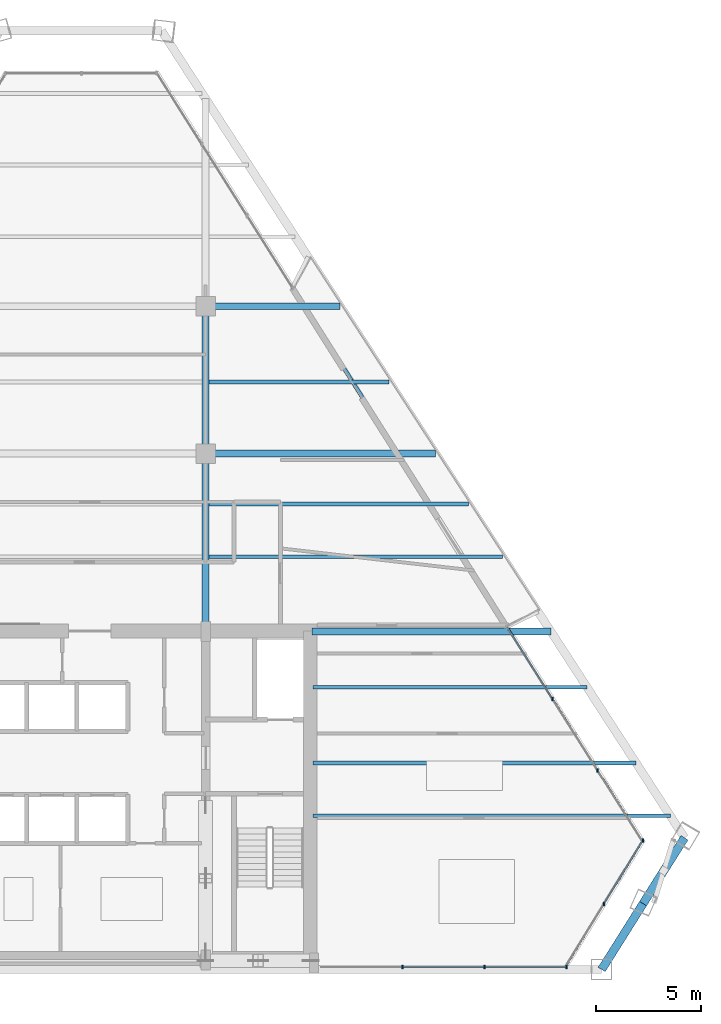
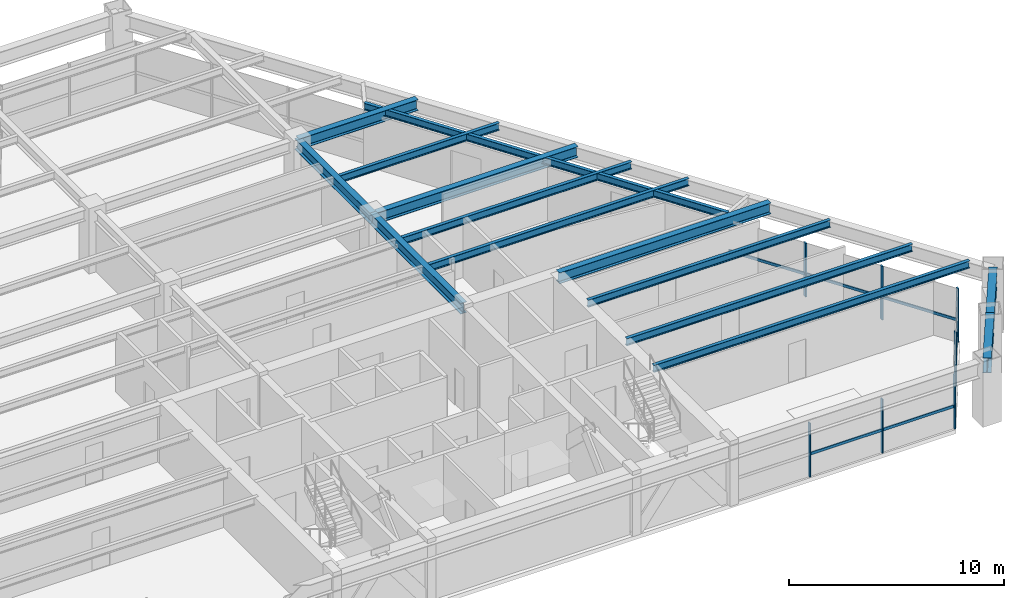
# One storey, part 6 of 15: 14 beams, 14 members, 3 elements without a shape of their own.
"""IFC4 building model written with IfcOpenShell, lengths in metres."""

import ifcopenshell
import ifcopenshell.guid

model = None  # the IFC model being written
_history = None  # IfcOwnerHistory: only IFC2X3 demands one
_inside = {}  # id of a spatial element -> (the spatial element, [elements in it])
_under = {}  # id of a project, library or spatial element -> (it, [spatial elements below it])
_declared = {}  # id of a project -> (the project, [libraries it declares])
_typed = {}  # id of a type object -> (the type object, [elements of that type])
_made_of = {}  # id of a material, layer set ... -> (it, [elements and type objects made of it])


def new_model(schema):
    """Start an empty IFC model of exactly this schema.

    Asked for "IFC4X3", IfcOpenShell would pick the latest addendum, in which some entities
    have other attributes; the version numbers below select the first issue.
    IFC2X3 requires an IfcOwnerHistory on every rooted entity: one is made here for all.
    """
    global model, _history
    if schema == "IFC4X3":
        model = ifcopenshell.file(schema_version=(4, 3, 0, 0))
    else:
        model = ifcopenshell.file(schema=schema)
    _inside.clear()
    _under.clear()
    _declared.clear()
    _typed.clear()
    _made_of.clear()
    _history = None
    if model.schema == "IFC2X3":
        org = make("IfcOrganization", Name="unknown")
        user = make(
            "IfcPersonAndOrganization",
            ThePerson=make("IfcPerson", FamilyName="unknown"),
            TheOrganization=org,
        )
        app = make(
            "IfcApplication",
            ApplicationDeveloper=org,
            Version="unknown",
            ApplicationFullName="unknown",
            ApplicationIdentifier="unknown",
        )
        _history = make(
            "IfcOwnerHistory",
            OwningUser=user,
            OwningApplication=app,
            ChangeAction="ADDED",
            CreationDate=0,
        )
    return model


def make(cls, **values):
    """One entity of the class cls with the attributes given. An attribute that is None is left unset."""
    return model.create_entity(
        cls, **{name: value for name, value in values.items() if value is not None}
    )


def rooted(cls, **values):
    """An entity with a GlobalId (a new one), such as an element, a storey or a relation."""
    return make(cls, GlobalId=ifcopenshell.guid.new(), OwnerHistory=_history, **values)


def si_unit(unit_type, name, prefix=None):
    """IfcSIUnit, for example si_unit("LENGTHUNIT", "METRE", prefix="MILLI")."""
    return make("IfcSIUnit", UnitType=unit_type, Prefix=prefix, Name=name)


def assignment(units):
    """IfcUnitAssignment: the units of a project."""
    return None if units is None else make("IfcUnitAssignment", Units=units)


def point(xyz):
    """IfcCartesianPoint."""
    return None if xyz is None else make("IfcCartesianPoint", Coordinates=xyz)


def direction(xyz):
    """IfcDirection."""
    return None if xyz is None else make("IfcDirection", DirectionRatios=xyz)


def frame(location, z_axis=None, x_axis=None):
    """IfcAxis2Placement3D, a coordinate frame: its origin and axes. An axis left out is left unset."""
    return make(
        "IfcAxis2Placement3D",
        Location=point(location),
        Axis=direction(z_axis),
        RefDirection=direction(x_axis),
    )


def frame_2d(location, x_axis=None):
    """IfcAxis2Placement2D, a coordinate frame in the plane: its origin and x axis."""
    return make(
        "IfcAxis2Placement2D", Location=point(location), RefDirection=direction(x_axis)
    )


def origin():
    """The frame at (0, 0, 0) with its axes left unset."""
    return frame((0.0, 0.0, 0.0))


def origin_2d():
    """The frame at (0, 0) in the plane with its x axis left unset."""
    return frame_2d((0.0, 0.0))


def place(relative_to, where):
    """IfcLocalPlacement: puts the frame where relative to a parent placement (None: the world)."""
    return make(
        "IfcLocalPlacement", PlacementRelTo=relative_to, RelativePlacement=where
    )


def context(
    kind, dimensions, precision=None, world=None, true_north=None, identifier=None
):
    """IfcGeometricRepresentationContext, for example the 3D "Model" context."""
    return make(
        "IfcGeometricRepresentationContext",
        ContextIdentifier=identifier,
        ContextType=kind,
        CoordinateSpaceDimension=dimensions,
        Precision=precision,
        WorldCoordinateSystem=world,
        TrueNorth=true_north,
    )


def subcontext(parent, identifier, kind, view, scale=None):
    """IfcGeometricRepresentationSubContext, for example "Body" below "Model"."""
    return make(
        "IfcGeometricRepresentationSubContext",
        ContextIdentifier=identifier,
        ContextType=kind,
        ParentContext=parent,
        TargetScale=scale,
        TargetView=view,
    )


def project(units=None, contexts=None):
    """IfcProject with its units and contexts."""
    return rooted(
        "IfcProject",
        Name="project",
        RepresentationContexts=contexts,
        UnitsInContext=assignment(units),
    )


def spatial(cls, under=None, at=None, **own):
    """A site, building, storey or space (cls), placed at a placement, below another one or the project."""
    s = rooted(cls, ObjectPlacement=at, **own)
    if under is not None:
        _under.setdefault(under.id(), (under, []))[1].append(s)
    return s


def profile(cls, at=None, kind="AREA", **sizes):
    """A parametric profile (cls). Its sizes go by their IFC names, for example OverallWidth=200.0."""
    return make(cls, ProfileType=kind, Position=at, **sizes)


def rectangle(**sizes):
    """IfcRectangleProfileDef."""
    return profile("IfcRectangleProfileDef", **sizes)


def i_section(**sizes):
    """IfcIShapeProfileDef."""
    return profile("IfcIShapeProfileDef", **sizes)


def extrude(swept, where, along, depth):
    """IfcExtrudedAreaSolid: the profile swept, set in the frame where, extruded along a direction by depth."""
    return make(
        "IfcExtrudedAreaSolid",
        SweptArea=swept,
        Position=where,
        ExtrudedDirection=direction(along),
        Depth=depth,
    )


def shape(context_of_items, identifier, shape_type, items):
    """IfcShapeRepresentation: the items that make up one representation, for example the "Body"."""
    return make(
        "IfcShapeRepresentation",
        ContextOfItems=context_of_items,
        RepresentationIdentifier=identifier,
        RepresentationType=shape_type,
        Items=items,
    )


def source(mapping_origin, context_of_items, identifier, shape_type, items):
    """IfcRepresentationMap: a shape defined once, which mapped items show again and again."""
    return make(
        "IfcRepresentationMap",
        MappingOrigin=mapping_origin,
        MappedRepresentation=shape(context_of_items, identifier, shape_type, items),
    )


def transform(
    local_origin,
    x_axis=None,
    y_axis=None,
    z_axis=None,
    scale=None,
    scale2=None,
    scale3=None,
    uniform=True,
):
    """IfcCartesianTransformationOperator3D, or its non-uniform kind. x_axis, y_axis, z_axis: its Axis1, 2, 3."""
    if uniform:
        return make(
            "IfcCartesianTransformationOperator3D",
            Axis1=direction(x_axis),
            Axis2=direction(y_axis),
            LocalOrigin=point(local_origin),
            Scale=scale,
            Axis3=direction(z_axis),
        )
    return make(
        "IfcCartesianTransformationOperator3DnonUniform",
        Axis1=direction(x_axis),
        Axis2=direction(y_axis),
        LocalOrigin=point(local_origin),
        Scale=scale,
        Axis3=direction(z_axis),
        Scale2=scale2,
        Scale3=scale3,
    )


def mapped(mapping_source, mapping_target):
    """IfcMappedItem: shows the shape of a source again, moved by a transform."""
    return make(
        "IfcMappedItem", MappingSource=mapping_source, MappingTarget=mapping_target
    )


def material(Name=None, Category=None):
    """IfcMaterial."""
    return make("IfcMaterial", Name=Name, Category=Category)


def material_profile(
    of_material, cross_section, Name=None, Category=None, Priority=None
):
    """IfcMaterialProfile: a cross section and its material."""
    return make(
        "IfcMaterialProfile",
        Name=Name,
        Material=of_material,
        Profile=cross_section,
        Priority=Priority,
        Category=Category,
    )


def profile_set(profiles, Name=None, composite=None):
    """IfcMaterialProfileSet."""
    return make(
        "IfcMaterialProfileSet",
        Name=Name,
        MaterialProfiles=profiles,
        CompositeProfile=composite,
    )


def made_of(thing, what):
    """Note that an element or type object is made of a material, layer set ...; save() writes the relation."""
    if what is not None:
        _made_of.setdefault(what.id(), (what, []))[1].append(thing)
    return thing


def type_object(cls, material=None, **own):
    """A type object (cls), such as IfcWallType, which elements share."""
    return made_of(rooted(cls, **own), material)


def type_shapes(of_type, sources):
    """Give a type object the sources (RepresentationMaps) that its elements show as mapped items."""
    of_type.RepresentationMaps = sources


def element(
    cls,
    number,
    at=None,
    inside=None,
    cuts=None,
    type_object=None,
    material=None,
    context=None,
    identifier="Body",
    shape_type=None,
    held_by="IfcProductDefinitionShape",
    body=None,
    shapes=None,
    **own,
):
    """One element of the class cls, such as IfcWall. Its Tag is "e" and its number.

    at: its placement. inside: the storey or other place that contains it. cuts: it is an
    opening in that element (IfcRelVoidsElement). A single representation is given by context,
    identifier, shape_type and body (its items); several are given by shapes. held_by: the class
    of the entity that holds the representations. save() writes the other relations.
    """
    e = rooted(cls, Tag="e%d" % number, ObjectPlacement=at, **own)
    if body is not None:
        shapes = [shape(context, identifier, shape_type, body)]
    if shapes is not None:
        e.Representation = make(held_by, Representations=shapes)
    if inside is not None:
        _inside.setdefault(inside.id(), (inside, []))[1].append(e)
    if cuts is not None:
        rooted(
            "IfcRelVoidsElement", RelatingBuildingElement=cuts, RelatedOpeningElement=e
        )
    if type_object is not None:
        _typed.setdefault(type_object.id(), (type_object, []))[1].append(e)
    return made_of(e, material)


def aggregate(whole, parts):
    """IfcRelAggregates: a whole, such as a stair, and the parts it consists of."""
    return rooted("IfcRelAggregates", RelatingObject=whole, RelatedObjects=parts)


def save(model, path):
    """Write the relations noted so far, then the file.

    IfcRelAggregates (storeys below a building ...), IfcRelContainedInSpatialStructure (elements
    in a storey), IfcRelDefinesByType, IfcRelAssociatesMaterial and IfcRelDeclares: one each for
    every whole, place, type object, material and project.
    """
    for whole, parts in _under.values():
        aggregate(whole, parts)
    for where, things in _inside.values():
        rooted(
            "IfcRelContainedInSpatialStructure",
            RelatedElements=things,
            RelatingStructure=where,
        )
    for kind, things in _typed.values():
        rooted("IfcRelDefinesByType", RelatedObjects=things, RelatingType=kind)
    for what, things in _made_of.values():
        rooted("IfcRelAssociatesMaterial", RelatedObjects=things, RelatingMaterial=what)
    for by, libraries in _declared.values():
        rooted("IfcRelDeclares", RelatingContext=by, RelatedDefinitions=libraries)
    model.write(path)


model = new_model("IFC4")

# Units and contexts
model_context = context("Model", 3, precision=1e-05, world=origin(), true_north=direction((0.0, 1.0)))
body_context = subcontext(model_context, "Body", "Model", "MODEL_VIEW")
ifc_project = project(units=[si_unit("LENGTHUNIT", "METRE"), si_unit("AREAUNIT", "SQUARE_METRE"), si_unit("VOLUMEUNIT", "CUBIC_METRE"), si_unit("PLANEANGLEUNIT", "RADIAN"), si_unit("MASSUNIT", "GRAM", prefix="KILO")], contexts=[model_context])

# Site, building, storey
site_placement = place(None, origin())
site = spatial("IfcSite", under=ifc_project, at=site_placement, CompositionType="ELEMENT")
building_placement = place(site_placement, origin())
building = spatial("IfcBuilding", under=site, at=building_placement, Name="Varnakhor Terracotta Tower", CompositionType="ELEMENT")
storey_placement = place(building_placement, frame((0.0, 0.0, 196.89990234375)))
storey = spatial("IfcBuildingStorey", under=building, at=storey_placement, Name="L50", CompositionType="ELEMENT", Elevation=196.89990234375)

# Beams
ifc_material_1 = material(Name="Steel S355", Category="steel")
ifc_material_profile_1 = material_profile(ifc_material_1, i_section(OverallWidth=0.324951171875, OverallDepth=0.615966796875, WebThickness=0.013916015625, FlangeThickness=0.02197265625, FilletRadius=0.01806640625, at=origin_2d()), Name="W24X117")
ifc_profile_set_1 = profile_set([ifc_material_profile_1], Name="Steel S355")
beam_type_1 = type_object("IfcBeamType", Name="BM-W24X117", PredefinedType="BEAM", material=ifc_profile_set_1)
shared_shape_1 = source(origin(), body_context, "Body", "SweptSolid", [
    extrude(i_section(OverallWidth=0.324951171875, OverallDepth=0.615966796875, WebThickness=0.013916015625, FlangeThickness=0.02197265625, FilletRadius=0.01806640625, at=origin_2d()), origin(), (0.0, 0.0, 1.0), 8.449951171875),
])
type_shapes(beam_type_1, [shared_shape_1])
beam_1_placement = place(storey_placement, frame((5.5, 16.050048828125, 3.162109375), z_axis=(0.0, 1.0, 0.0), x_axis=(-1.0, 0.0, 0.0)))
element("IfcBeam", 1, at=beam_1_placement, inside=storey, type_object=beam_type_1, Name="L50 Primary Girder NS1-E", PredefinedType="BEAM", context=body_context, shape_type="MappedRepresentation", body=[
    mapped(shared_shape_1, transform((0.0, 0.0, 0.0), scale=1.0)),
])
shared_shape_2 = source(origin(), body_context, "Body", "SweptSolid", [
    extrude(i_section(OverallWidth=0.324951171875, OverallDepth=0.615966796875, WebThickness=0.013916015625, FlangeThickness=0.02197265625, FilletRadius=0.01806640625, at=origin_2d()), origin(), (0.0, 0.0, 1.0), 7.0),
])
beam_2_placement = place(storey_placement, frame((5.5, 24.5, 3.162109375), z_axis=(0.0, 1.0, 0.0), x_axis=(-1.0, 0.0, 0.0)))
element("IfcBeam", 2, at=beam_2_placement, inside=storey, type_object=beam_type_1, Name="L50 Primary Girder NS2-E", PredefinedType="BEAM", context=body_context, shape_type="MappedRepresentation", body=[
    mapped(shared_shape_2, transform((0.0, 0.0, 0.0), scale=1.0)),
])
ifc_material_profile_2 = material_profile(ifc_material_1, i_section(OverallWidth=0.39990234375, OverallDepth=0.85498046875, WebThickness=0.01806640625, FlangeThickness=0.029052734375, FilletRadius=0.01806640625, at=origin_2d()), Name="W33X201")
ifc_profile_set_2 = profile_set([ifc_material_profile_2], Name="Steel S355")
beam_type_2 = type_object("IfcBeamType", Name="BM-W33X201", PredefinedType="BEAM", material=ifc_profile_set_2)
shared_shape_3 = source(origin(), body_context, "Body", "SweptSolid", [
    extrude(i_section(OverallWidth=0.39990234375, OverallDepth=0.85498046875, WebThickness=0.01806640625, FlangeThickness=0.029052734375, FilletRadius=0.01806640625, at=origin_2d()), origin(), (0.0, 0.0, 1.0), 3.695068359375),
])
beam_3_placement = place(storey_placement, frame((24.310791015625, 0.0, 3.04248046875), z_axis=(0.532348797409, 0.846525107659, 0.0), x_axis=(-0.846525107659, 0.532348797409, 0.0)))
element("IfcBeam", 3, at=beam_3_placement, inside=storey, type_object=beam_type_2, Name="L50 Perimeter Spandrel 2", PredefinedType="BEAM", context=body_context, shape_type="MappedRepresentation", body=[
    mapped(shared_shape_3, transform((0.0, 0.0, 0.0), scale=1.0)),
])
shared_shape_4 = source(origin(), body_context, "Body", "SweptSolid", [
    extrude(i_section(OverallWidth=0.39990234375, OverallDepth=0.85498046875, WebThickness=0.01806640625, FlangeThickness=0.029052734375, FilletRadius=0.01806640625, at=origin_2d()), origin(), (0.0, 0.0, 1.0), 3.6953125),
])
beam_4_placement = place(storey_placement, frame((26.27783203125, 3.1279296875, 3.04248046875), z_axis=(0.532366368301, 0.846514057711, 0.0), x_axis=(-0.846514057711, 0.532366368301, 0.0)))
element("IfcBeam", 4, at=beam_4_placement, inside=storey, type_object=beam_type_2, Name="L50 Perimeter Spandrel 3", PredefinedType="BEAM", context=body_context, shape_type="MappedRepresentation", body=[
    mapped(shared_shape_4, transform((0.0, 0.0, 0.0), scale=1.0)),
])
ifc_material_profile_3 = material_profile(ifc_material_1, i_section(OverallWidth=0.179931640625, OverallDepth=0.39990234375, WebThickness=0.008544921875, FlangeThickness=0.013427734375, FilletRadius=0.01806640625, at=origin_2d()), Name="IPE400")
ifc_profile_set_3 = profile_set([ifc_material_profile_3], Name="Steel S355")
beam_type_3 = type_object("IfcBeamType", Name="JST-IPE400", PredefinedType="JOIST", material=ifc_profile_set_3)
shared_shape_5 = source(origin(), body_context, "Body", "SweptSolid", [
    extrude(i_section(OverallWidth=0.179931640625, OverallDepth=0.39990234375, WebThickness=0.008544921875, FlangeThickness=0.013427734375, FilletRadius=0.01806640625, at=origin_2d()), origin(), (0.0, 0.0, 1.0), 19.0947265625),
])
beam_5_placement = place(storey_placement, frame((19.829833984375, 16.264892578125, 3.27001953125), z_axis=(-0.533881383678, 0.845559381807, 0.0), x_axis=(-0.845559381807, -0.533881383678, 0.0)))
element("IfcBeam", 5, at=beam_5_placement, inside=storey, type_object=beam_type_3, Name="L50 Loggia Edge Beam 1", PredefinedType="JOIST", context=body_context, shape_type="MappedRepresentation", body=[
    mapped(shared_shape_5, transform((0.0, 0.0, 0.0), scale=1.0)),
])
shared_shape_6 = source(origin(), body_context, "Body", "SweptSolid", [
    extrude(i_section(OverallWidth=0.324951171875, OverallDepth=0.615966796875, WebThickness=0.013916015625, FlangeThickness=0.02197265625, FilletRadius=0.01806640625, at=origin_2d()), origin(), (0.0, 0.0, 1.0), 11.34814453125),
])
beam_6_placement = place(storey_placement, frame((10.550048828125, 16.050048828125, 3.162109375), z_axis=(1.0, 0.0, 0.0), x_axis=(0.0, 1.0, 0.0)))
element("IfcBeam", 6, at=beam_6_placement, inside=storey, type_object=beam_type_1, Name="L50 Wing Girder E", PredefinedType="BEAM", context=body_context, shape_type="MappedRepresentation", body=[
    mapped(shared_shape_6, transform((0.0, 0.0, 0.0), scale=1.0)),
])
shared_shape_7 = source(origin(), body_context, "Body", "SweptSolid", [
    extrude(i_section(OverallWidth=0.324951171875, OverallDepth=0.615966796875, WebThickness=0.013916015625, FlangeThickness=0.02197265625, FilletRadius=0.01806640625, at=origin_2d()), origin(), (0.0, 0.0, 1.0), 10.92236328125),
])
beam_7_placement = place(storey_placement, frame((5.5, 24.5, 3.162109375), z_axis=(1.0, 0.0, 0.0), x_axis=(0.0, 1.0, 0.0)))
element("IfcBeam", 7, at=beam_7_placement, inside=storey, type_object=beam_type_1, Name="L50 Primary Girder EW2-3", PredefinedType="BEAM", context=body_context, shape_type="MappedRepresentation", body=[
    mapped(shared_shape_7, transform((0.0, 0.0, 0.0), scale=1.0)),
])
shared_shape_8 = source(origin(), body_context, "Body", "SweptSolid", [
    extrude(i_section(OverallWidth=0.324951171875, OverallDepth=0.615966796875, WebThickness=0.013916015625, FlangeThickness=0.02197265625, FilletRadius=0.01806640625, at=origin_2d()), origin(), (0.0, 0.0, 1.0), 6.385986328125),
])
beam_8_placement = place(storey_placement, frame((5.5, 31.5, 3.162109375), z_axis=(1.0, 0.0, 0.0), x_axis=(0.0, 1.0, 0.0)))
element("IfcBeam", 8, at=beam_8_placement, inside=storey, type_object=beam_type_1, Name="L50 Primary Girder EW3-3", PredefinedType="BEAM", context=body_context, shape_type="MappedRepresentation", body=[
    mapped(shared_shape_8, transform((0.0, 0.0, 0.0), scale=1.0)),
])
ifc_material_profile_4 = material_profile(ifc_material_1, i_section(OverallWidth=0.179931640625, OverallDepth=0.4130859375, WebThickness=0.009765625, FlangeThickness=0.01611328125, FilletRadius=0.01806640625, at=origin_2d()), Name="W16X50")
ifc_profile_set_4 = profile_set([ifc_material_profile_4], Name="Steel S355")
beam_type_4 = type_object("IfcBeamType", Name="JST-W16X50", PredefinedType="JOIST", material=ifc_profile_set_4)
shared_shape_9 = source(origin(), body_context, "Body", "SweptSolid", [
    extrude(i_section(OverallWidth=0.179931640625, OverallDepth=0.4130859375, WebThickness=0.009765625, FlangeThickness=0.01611328125, FilletRadius=0.01806640625, at=origin_2d()), origin(), (0.0, 0.0, 1.0), 16.968505859375),
])
beam_9_placement = place(storey_placement, frame((10.60009765625, 7.300048828125, 3.263671875), z_axis=(1.0, 0.0, 0.0), x_axis=(0.0, 1.0, 0.0)))
element("IfcBeam", 9, at=beam_9_placement, inside=storey, type_object=beam_type_4, Name="L50 Floor Joist E1", PredefinedType="JOIST", context=body_context, shape_type="MappedRepresentation", body=[
    mapped(shared_shape_9, transform((0.0, 0.0, 0.0), scale=1.0)),
])
shared_shape_10 = source(origin(), body_context, "Body", "SweptSolid", [
    extrude(i_section(OverallWidth=0.179931640625, OverallDepth=0.4130859375, WebThickness=0.009765625, FlangeThickness=0.01611328125, FilletRadius=0.01806640625, at=origin_2d()), origin(), (0.0, 0.0, 1.0), 15.348388671875),
])
beam_10_placement = place(storey_placement, frame((10.60009765625, 9.800048828125, 3.263671875), z_axis=(1.0, 0.0, 0.0), x_axis=(0.0, 1.0, 0.0)))
element("IfcBeam", 10, at=beam_10_placement, inside=storey, type_object=beam_type_4, Name="L50 Floor Joist E2", PredefinedType="JOIST", context=body_context, shape_type="MappedRepresentation", body=[
    mapped(shared_shape_10, transform((0.0, 0.0, 0.0), scale=1.0)),
])
shared_shape_11 = source(origin(), body_context, "Body", "SweptSolid", [
    extrude(i_section(OverallWidth=0.179931640625, OverallDepth=0.4130859375, WebThickness=0.009765625, FlangeThickness=0.01611328125, FilletRadius=0.01806640625, at=origin_2d()), origin(), (0.0, 0.0, 1.0), 13.015380859375),
])
beam_11_placement = place(storey_placement, frame((10.60009765625, 13.39990234375, 3.263671875), z_axis=(1.0, 0.0, 0.0), x_axis=(0.0, 1.0, 0.0)))
element("IfcBeam", 11, at=beam_11_placement, inside=storey, type_object=beam_type_4, Name="L50 Floor Joist E3", PredefinedType="JOIST", context=body_context, shape_type="MappedRepresentation", body=[
    mapped(shared_shape_11, transform((0.0, 0.0, 0.0), scale=1.0)),
])
shared_shape_12 = source(origin(), body_context, "Body", "SweptSolid", [
    extrude(i_section(OverallWidth=0.179931640625, OverallDepth=0.4130859375, WebThickness=0.009765625, FlangeThickness=0.01611328125, FilletRadius=0.01806640625, at=origin_2d()), origin(), (0.0, 0.0, 1.0), 13.939208984375),
])
beam_12_placement = place(storey_placement, frame((5.658447265625, 19.60009765625, 3.263671875), z_axis=(1.0, 0.0, 0.0), x_axis=(0.0, 1.0, 0.0)))
element("IfcBeam", 12, at=beam_12_placement, inside=storey, type_object=beam_type_4, Name="L50 Composite Floor Joist 4-3", PredefinedType="JOIST", context=body_context, shape_type="MappedRepresentation", body=[
    mapped(shared_shape_12, transform((0.0, 0.0, 0.0), scale=1.0)),
])
shared_shape_13 = source(origin(), body_context, "Body", "SweptSolid", [
    extrude(i_section(OverallWidth=0.179931640625, OverallDepth=0.4130859375, WebThickness=0.009765625, FlangeThickness=0.01611328125, FilletRadius=0.01806640625, at=origin_2d()), origin(), (0.0, 0.0, 1.0), 12.319091796875),
])
beam_13_placement = place(storey_placement, frame((5.658447265625, 22.10009765625, 3.263671875), z_axis=(1.0, 0.0, 0.0), x_axis=(0.0, 1.0, 0.0)))
element("IfcBeam", 13, at=beam_13_placement, inside=storey, type_object=beam_type_4, Name="L50 Composite Floor Joist 5-3", PredefinedType="JOIST", context=body_context, shape_type="MappedRepresentation", body=[
    mapped(shared_shape_13, transform((0.0, 0.0, 0.0), scale=1.0)),
])
shared_shape_14 = source(origin(), body_context, "Body", "SweptSolid", [
    extrude(i_section(OverallWidth=0.179931640625, OverallDepth=0.4130859375, WebThickness=0.009765625, FlangeThickness=0.01611328125, FilletRadius=0.01806640625, at=origin_2d()), origin(), (0.0, 0.0, 1.0), 8.560546875),
])
beam_14_placement = place(storey_placement, frame((5.658447265625, 27.89990234375, 3.263671875), z_axis=(1.0, 0.0, 0.0), x_axis=(0.0, 1.0, 0.0)))
element("IfcBeam", 14, at=beam_14_placement, inside=storey, type_object=beam_type_4, Name="L50 Composite Floor Joist 6-3", PredefinedType="JOIST", context=body_context, shape_type="MappedRepresentation", body=[
    mapped(shared_shape_14, transform((0.0, 0.0, 0.0), scale=1.0)),
])

# Curtain wall, members
ifc_material_2 = material(Name="Anodised Aluminium Curtain Wall System", Category="aluminium")
curtain_wall_type = type_object("IfcCurtainWallType", Name="CW-SYS-MID-OFFICE", PredefinedType="NOTDEFINED", material=ifc_material_2)
curtain_wall_1_placement = place(storey_placement, origin())
curtain_wall_1 = element("IfcCurtainWall", 15, at=curtain_wall_1_placement, inside=storey, type_object=curtain_wall_type, Name="L50 E Facet Curtain Wall 2", PredefinedType="NOTDEFINED")
ifc_material_3 = material(Name="Anodised Aluminium 6063-T6", Category="aluminium")
ifc_material_profile_5 = material_profile(ifc_material_3, rectangle(XDim=0.070068359375, YDim=0.175048828125, at=origin_2d()), Name="ALU MULLION 70x175")
ifc_profile_set_5 = profile_set([ifc_material_profile_5], Name="Anodised Aluminium 6063-T6")
member_type_1 = type_object("IfcMemberType", Name="CWM-03", PredefinedType="MULLION", material=ifc_profile_set_5)
shared_shape_15 = source(origin(), body_context, "Body", "SweptSolid", [
    extrude(rectangle(XDim=0.070068359375, YDim=0.175048828125, at=origin_2d()), origin(), (0.0, 0.0, 1.0), 3.050048828125),
])
member_1_placement = place(storey_placement, frame((21.973388671875, 12.849365234375, 0.0), z_axis=(0.0, 0.0, 1.0), x_axis=(1.0, 0.0, 0.0)))
member_1 = element("IfcMember", 16, at=member_1_placement, type_object=member_type_1, Name="L50 E Facet Curtain Wall 2 Mullion 2", PredefinedType="MULLION", context=body_context, shape_type="MappedRepresentation", body=[
    mapped(shared_shape_15, transform((0.0, 0.0, 0.0), scale=1.0)),
])
member_2_placement = place(storey_placement, frame((24.12060546875, 9.451904296875, 0.0), z_axis=(0.0, 0.0, 1.0), x_axis=(1.0, 0.0, 0.0)))
member_2 = element("IfcMember", 17, at=member_2_placement, type_object=member_type_1, Name="L50 E Facet Curtain Wall 2 Mullion 3", PredefinedType="MULLION", context=body_context, shape_type="MappedRepresentation", body=[
    mapped(shared_shape_15, transform((0.0, 0.0, 0.0), scale=1.0)),
])

curtain_wall_2_placement = place(storey_placement, origin())
curtain_wall_2 = element("IfcCurtainWall", 18, at=curtain_wall_2_placement, inside=storey, type_object=curtain_wall_type, Name="L50 Facet Curtain Wall 4", PredefinedType="NOTDEFINED")
member_3_placement = place(storey_placement, frame((26.26708984375, 6.13037109375, 0.0), z_axis=(0.0, 0.0, 1.0), x_axis=(1.0, 0.0, 0.0)))
member_3 = element("IfcMember", 19, at=member_3_placement, type_object=member_type_1, Name="L50 Facet Curtain Wall 4 Mullion 1", PredefinedType="MULLION", context=body_context, shape_type="MappedRepresentation", body=[
    mapped(shared_shape_15, transform((0.0, 0.0, 0.0), scale=1.0)),
])
member_4_placement = place(storey_placement, frame((24.413330078125, 3.109375, 0.0), z_axis=(0.0, 0.0, 1.0), x_axis=(1.0, 0.0, 0.0)))
member_4 = element("IfcMember", 20, at=member_4_placement, type_object=member_type_1, Name="L50 Facet Curtain Wall 4 Mullion 2", PredefinedType="MULLION", context=body_context, shape_type="MappedRepresentation", body=[
    mapped(shared_shape_15, transform((0.0, 0.0, 0.0), scale=1.0)),
])

curtain_wall_3_placement = place(storey_placement, origin())
curtain_wall_3 = element("IfcCurtainWall", 21, at=curtain_wall_3_placement, inside=storey, type_object=curtain_wall_type, Name="L50 South Wing Curtain Wall SSE", PredefinedType="NOTDEFINED")
member_5_placement = place(storey_placement, frame((22.63623046875, 0.1201171875, 0.0), z_axis=(0.0, 0.0, 1.0), x_axis=(1.0, 0.0, 0.0)))
member_5 = element("IfcMember", 22, at=member_5_placement, type_object=member_type_1, Name="L50 South Wing Curtain Wall SSE Mullion 1", PredefinedType="MULLION", context=body_context, shape_type="MappedRepresentation", body=[
    mapped(shared_shape_15, transform((0.0, 0.0, 0.0), scale=1.0)),
])
member_6_placement = place(storey_placement, frame((18.74755859375, 0.1201171875, 0.0), z_axis=(0.0, 0.0, 1.0), x_axis=(1.0, 0.0, 0.0)))
member_6 = element("IfcMember", 23, at=member_6_placement, type_object=member_type_1, Name="L50 South Wing Curtain Wall SSE Mullion 2", PredefinedType="MULLION", context=body_context, shape_type="MappedRepresentation", body=[
    mapped(shared_shape_15, transform((0.0, 0.0, 0.0), scale=1.0)),
])
member_7_placement = place(storey_placement, frame((14.858642578125, 0.1201171875, 0.0), z_axis=(0.0, 0.0, 1.0), x_axis=(1.0, 0.0, 0.0)))
member_7 = element("IfcMember", 24, at=member_7_placement, type_object=member_type_1, Name="L50 South Wing Curtain Wall SSE Mullion 3", PredefinedType="MULLION", context=body_context, shape_type="MappedRepresentation", body=[
    mapped(shared_shape_15, transform((0.0, 0.0, 0.0), scale=1.0)),
])

# Member
ifc_material_profile_6 = material_profile(ifc_material_3, rectangle(XDim=0.070068359375, YDim=0.155029296875, at=origin_2d()), Name="ALU TRANSOM 70x155")
ifc_profile_set_6 = profile_set([ifc_material_profile_6], Name="Anodised Aluminium 6063-T6")
member_type_2 = type_object("IfcMemberType", Name="CWT-03", PredefinedType="USERDEFINED", material=ifc_profile_set_6)
shared_shape_16 = source(origin(), body_context, "Body", "SweptSolid", [
    extrude(rectangle(XDim=0.070068359375, YDim=0.155029296875, at=origin_2d()), origin(), (0.0, 0.0, 1.0), 4.01904296875),
])
member_8_placement = place(storey_placement, frame((19.826171875, 16.246826171875, 1.281005859375), z_axis=(0.534251222434, -0.845325754563, 0.0), x_axis=(0.845325754563, 0.534251222434, 0.0)))
member_8 = element("IfcMember", 25, at=member_8_placement, type_object=member_type_2, Name="L50 E Facet Curtain Wall 2 Transom 1", ObjectType="TRANSOM", PredefinedType="USERDEFINED", context=body_context, shape_type="MappedRepresentation", body=[
    mapped(shared_shape_16, transform((0.0, 0.0, 0.0), scale=1.0)),
])

member_9_placement = place(storey_placement, frame((21.973388671875, 12.849365234375, 1.281005859375), z_axis=(0.534251222434, -0.845325754563, 0.0), x_axis=(0.845325754563, 0.534251222434, 0.0)))
member_9 = element("IfcMember", 26, at=member_9_placement, type_object=member_type_2, Name="L50 E Facet Curtain Wall 2 Transom 2", ObjectType="TRANSOM", PredefinedType="USERDEFINED", context=body_context, shape_type="MappedRepresentation", body=[
    mapped(shared_shape_16, transform((0.0, 0.0, 0.0), scale=1.0)),
])

shared_shape_17 = source(origin(), body_context, "Body", "SweptSolid", [
    extrude(rectangle(XDim=0.070068359375, YDim=0.155029296875, at=origin_2d()), origin(), (0.0, 0.0, 1.0), 4.019287109375),
])
member_10_placement = place(storey_placement, frame((24.12060546875, 9.451904296875, 1.281005859375), z_axis=(0.534180381706, -0.845370522197, 0.0), x_axis=(0.845370522197, 0.534180381706, 0.0)))
member_10 = element("IfcMember", 27, at=member_10_placement, type_object=member_type_2, Name="L50 E Facet Curtain Wall 2 Transom 3", ObjectType="TRANSOM", PredefinedType="USERDEFINED", context=body_context, shape_type="MappedRepresentation", body=[
    mapped(shared_shape_17, transform((0.0, 0.0, 0.0), scale=1.0)),
])

aggregate(curtain_wall_1, [member_8, member_1, member_9, member_2, member_10])

shared_shape_18 = source(origin(), body_context, "Body", "SweptSolid", [
    extrude(rectangle(XDim=0.070068359375, YDim=0.155029296875, at=origin_2d()), origin(), (0.0, 0.0, 1.0), 3.54443359375),
])
member_11_placement = place(storey_placement, frame((26.26708984375, 6.13037109375, 1.281005859375), z_axis=(-0.523009396405, -0.852326915727, 0.0), x_axis=(0.852326915727, -0.523009396405, 0.0)))
member_11 = element("IfcMember", 28, at=member_11_placement, type_object=member_type_2, Name="L50 Facet Curtain Wall 4 Transom 1", ObjectType="TRANSOM", PredefinedType="USERDEFINED", context=body_context, shape_type="MappedRepresentation", body=[
    mapped(shared_shape_18, transform((0.0, 0.0, 0.0), scale=1.0)),
])

member_12_placement = place(storey_placement, frame((24.413330078125, 3.109375, 1.281005859375), z_axis=(-0.523009396405, -0.852326915727, 0.0), x_axis=(0.852326915727, -0.523009396405, 0.0)))
member_12 = element("IfcMember", 29, at=member_12_placement, type_object=member_type_2, Name="L50 Facet Curtain Wall 4 Transom 2", ObjectType="TRANSOM", PredefinedType="USERDEFINED", context=body_context, shape_type="MappedRepresentation", body=[
    mapped(shared_shape_18, transform((0.0, 0.0, 0.0), scale=1.0)),
])

aggregate(curtain_wall_2, [member_3, member_11, member_4, member_12])

shared_shape_19 = source(origin(), body_context, "Body", "SweptSolid", [
    extrude(rectangle(XDim=0.070068359375, YDim=0.155029296875, at=origin_2d()), origin(), (0.0, 0.0, 1.0), 3.888671875),
])
member_13_placement = place(storey_placement, frame((22.63623046875, 0.1201171875, 1.281005859375), z_axis=(-1.0, 0.0, 0.0), x_axis=(0.0, -1.0, 0.0)))
member_13 = element("IfcMember", 30, at=member_13_placement, type_object=member_type_2, Name="L50 South Wing Curtain Wall SSE Transom 1", ObjectType="TRANSOM", PredefinedType="USERDEFINED", context=body_context, shape_type="MappedRepresentation", body=[
    mapped(shared_shape_19, transform((0.0, 0.0, 0.0), scale=1.0)),
])

shared_shape_20 = source(origin(), body_context, "Body", "SweptSolid", [
    extrude(rectangle(XDim=0.070068359375, YDim=0.155029296875, at=origin_2d()), origin(), (0.0, 0.0, 1.0), 3.888916015625),
])
member_14_placement = place(storey_placement, frame((18.74755859375, 0.1201171875, 1.281005859375), z_axis=(-1.0, 0.0, 0.0), x_axis=(0.0, -1.0, 0.0)))
member_14 = element("IfcMember", 31, at=member_14_placement, type_object=member_type_2, Name="L50 South Wing Curtain Wall SSE Transom 2", ObjectType="TRANSOM", PredefinedType="USERDEFINED", context=body_context, shape_type="MappedRepresentation", body=[
    mapped(shared_shape_20, transform((0.0, 0.0, 0.0), scale=1.0)),
])

aggregate(curtain_wall_3, [member_5, member_13, member_6, member_14, member_7])

save(model, "model.ifc")
